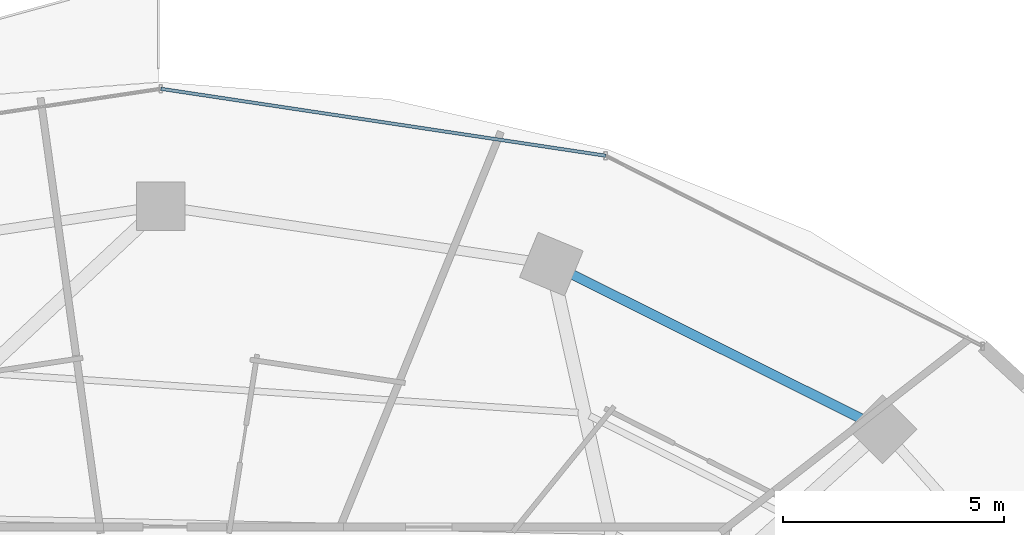
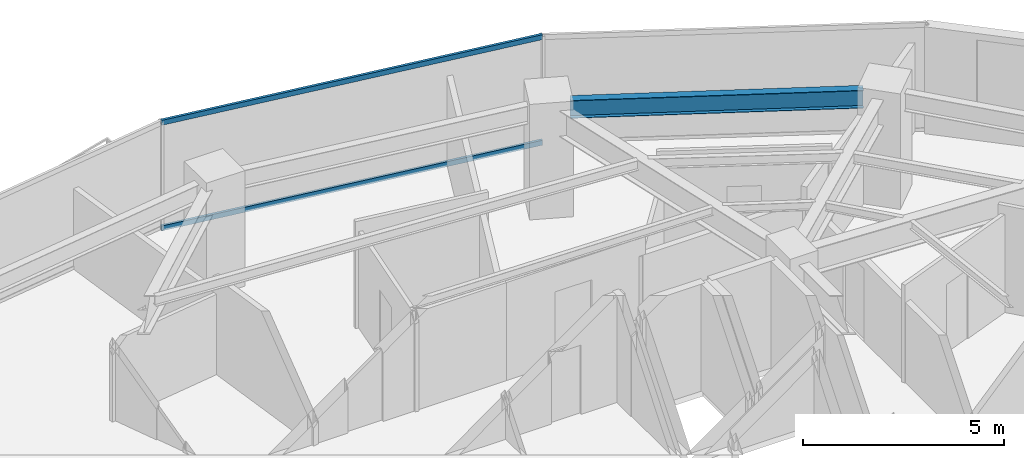
# One storey, part 19 of 30: 2 members, 1 beam, 1 element without a shape of its own.
"""IFC4 building model written with IfcOpenShell, lengths in metres."""

from ifc_helpers import new_model, si_unit, direction, frame, origin, origin_2d, place, context, subcontext, project, spatial, hollow_rectangle, i_section, extrude, material, material_profile, profile_set, type_object, element, aggregate, save


model = new_model("IFC4")

# Units and contexts
model_context = context("Model", 3, precision=1e-05, world=origin(), true_north=direction((0.0, 1.0)))
body_context = subcontext(model_context, "Body", "Model", "MODEL_VIEW")
ifc_project = project(units=[si_unit("LENGTHUNIT", "METRE"), si_unit("AREAUNIT", "SQUARE_METRE"), si_unit("VOLUMEUNIT", "CUBIC_METRE"), si_unit("PLANEANGLEUNIT", "RADIAN"), si_unit("MASSUNIT", "GRAM", prefix="KILO")], contexts=[model_context])

# Site, building, storey
site_placement = place(None, origin())
site = spatial("IfcSite", under=ifc_project, at=site_placement, CompositionType="ELEMENT")
building_placement = place(site_placement, origin())
building = spatial("IfcBuilding", under=site, at=building_placement, Name="Vorneva Point Tower", CompositionType="ELEMENT")
storey_placement = place(building_placement, frame((0.0, 0.0, 89.300048828125)))
storey = spatial("IfcBuildingStorey", under=building, at=storey_placement, Name="L23", CompositionType="ELEMENT", Elevation=89.300048828125)

# Beam
ifc_material_1 = material(Name="Steel S355", Category="steel")
ifc_material_profile_1 = material_profile(ifc_material_1, i_section(OverallWidth=0.219970703125, OverallDepth=0.54296875, WebThickness=0.009521484375, FlangeThickness=0.013427734375, at=origin_2d()), Name="55B1")
ifc_profile_set_1 = profile_set([ifc_material_profile_1], Name="Steel S355")
beam_type = type_object("IfcBeamType", Name="BM-SPN-55B1", PredefinedType="SPANDREL", material=ifc_profile_set_1)
beam_placement = place(storey_placement, frame((53.820068359375, 38.40087890625, 2.968505859375), z_axis=(-0.894915882304, 0.446234874926, 0.0), x_axis=(-0.446234874926, -0.894915882304, 0.0)))
element("IfcBeam", 1, at=beam_placement, inside=storey, type_object=beam_type, Name="L23 Perimeter Spandrel Ring Beam 03", PredefinedType="SPANDREL", context=body_context, shape_type="SweptSolid", body=[
    extrude(i_section(OverallWidth=0.219970703125, OverallDepth=0.54296875, WebThickness=0.009521484375, FlangeThickness=0.013427734375, at=origin_2d()), origin(), (0.0, 0.0, 1.0), 7.285888671875),
])

# Curtain wall, members
ifc_material_2 = material(Name="Pale anodised aluminium", Category="aluminium")
curtain_wall_type = type_object("IfcCurtainWallType", Name="CW-HTL-SYS", PredefinedType="NOTDEFINED", material=ifc_material_2)
curtain_wall_placement = place(storey_placement, origin())
curtain_wall = element("IfcCurtainWall", 2, at=curtain_wall_placement, inside=storey, type_object=curtain_wall_type, Name="L23 Unitised Curtain Wall CW-L23-R02", PredefinedType="NOTDEFINED")
ifc_material_profile_2 = material_profile(ifc_material_2, hollow_rectangle(XDim=0.074951171875, YDim=0.14990234375, WallThickness=0.00390625, at=origin_2d()), Name="AL-TRN 150x75x4")
ifc_profile_set_2 = profile_set([ifc_material_profile_2], Name="Pale anodised aluminium")
member_type = type_object("IfcMemberType", Name="CW-TRN-150", PredefinedType="USERDEFINED", material=ifc_profile_set_2)
member_1_placement = place(storey_placement, frame((48.04541015625, 44.339111328125, 0.02001953125), z_axis=(-0.988875982167, 0.148742367512, 0.0), x_axis=(-0.148742367512, -0.988875982167, 0.0)))
member_1 = element("IfcMember", 3, at=member_1_placement, type_object=member_type, Name="CW-L23-R02 Transom 02.1", ObjectType="TRANSOM", PredefinedType="USERDEFINED", context=body_context, shape_type="SweptSolid", body=[
    extrude(hollow_rectangle(XDim=0.074951171875, YDim=0.14990234375, WallThickness=0.00390625, at=origin_2d()), origin(), (0.0, 0.0, 1.0), 10.158447265625),
])
member_2_placement = place(storey_placement, frame((48.04541015625, 44.339111328125, 3.219970703125), z_axis=(-0.988875982167, 0.148742367512, 0.0), x_axis=(-0.148742367512, -0.988875982167, 0.0)))
member_2 = element("IfcMember", 4, at=member_2_placement, type_object=member_type, Name="CW-L23-R02 Transom 02.2", ObjectType="TRANSOM", PredefinedType="USERDEFINED", context=body_context, shape_type="SweptSolid", body=[
    extrude(hollow_rectangle(XDim=0.074951171875, YDim=0.14990234375, WallThickness=0.00390625, at=origin_2d()), origin(), (0.0, 0.0, 1.0), 10.158447265625),
])
aggregate(curtain_wall, [member_1, member_2])

save(model, "model.ifc")
